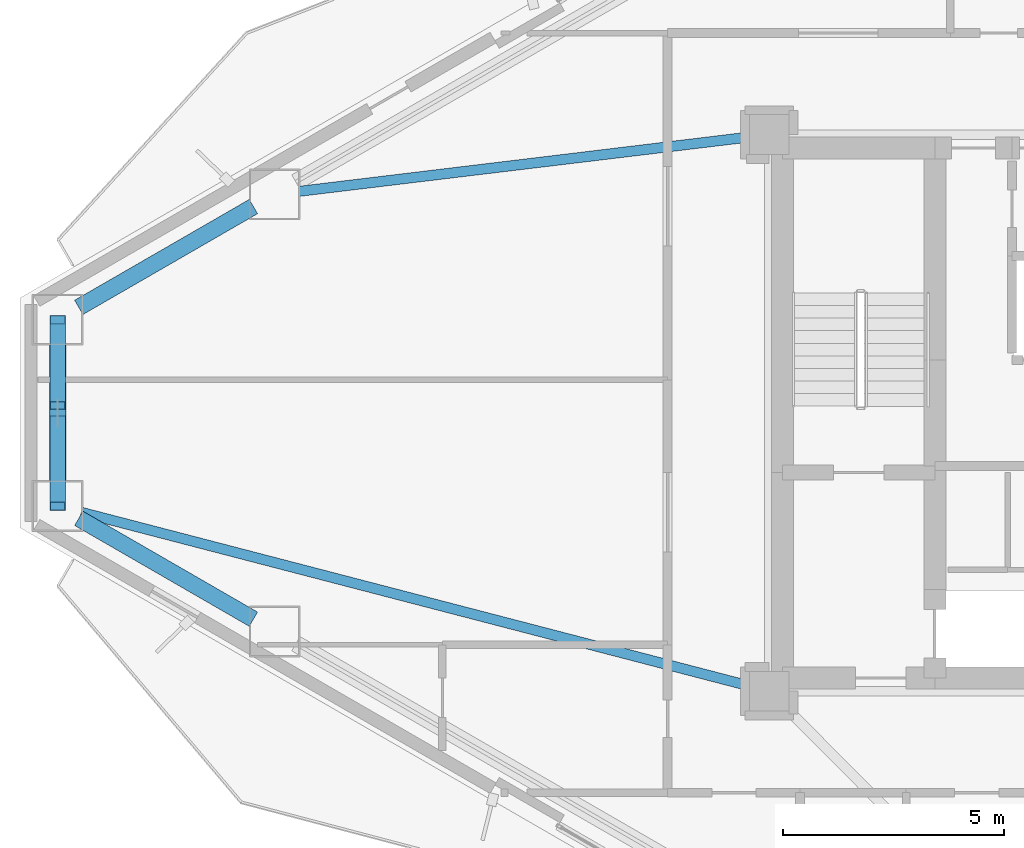
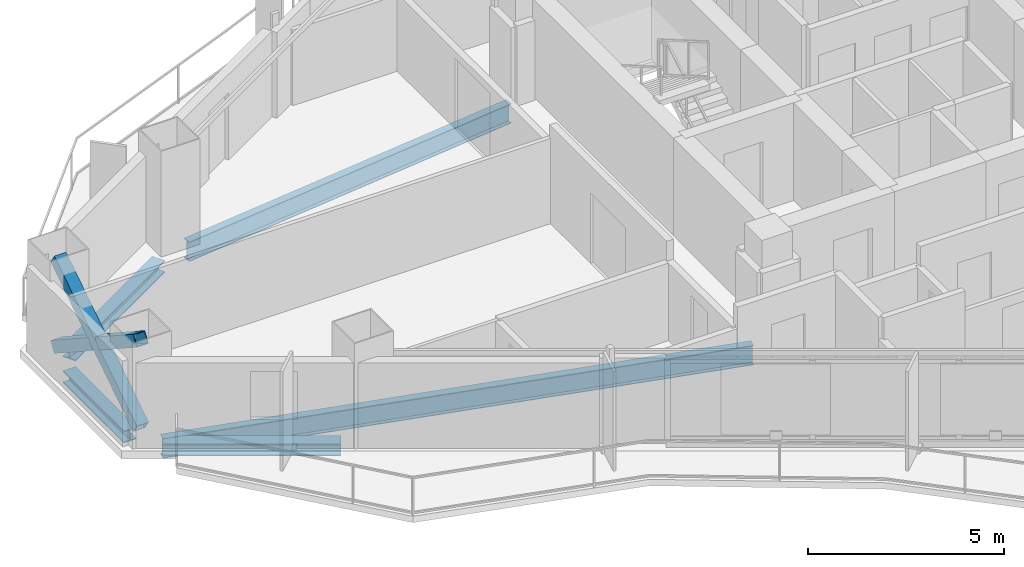
# One storey, part 5 of 22: 5 beams, 3 members.
"""IFC4 building model written with IfcOpenShell, lengths in metres."""

from ifc_helpers import new_model, si_unit, direction, frame, origin, origin_2d, place, context, subcontext, project, spatial, hollow_rectangle, i_section, extrude, material, material_profile, profile_set, type_object, element, save


model = new_model("IFC4")

# Units and contexts
model_context = context("Model", 3, precision=1e-05, world=origin(), true_north=direction((0.0, 1.0)))
body_context = subcontext(model_context, "Body", "Model", "MODEL_VIEW")
ifc_project = project(units=[si_unit("LENGTHUNIT", "METRE"), si_unit("AREAUNIT", "SQUARE_METRE"), si_unit("VOLUMEUNIT", "CUBIC_METRE"), si_unit("PLANEANGLEUNIT", "RADIAN"), si_unit("MASSUNIT", "GRAM", prefix="KILO")], contexts=[model_context])

# Site, building, storey
site_placement = place(None, origin())
site = spatial("IfcSite", under=ifc_project, at=site_placement, CompositionType="ELEMENT")
building_placement = place(site_placement, origin())
building = spatial("IfcBuilding", under=site, at=building_placement, Name="Mersakhor Tower and Convention Hall", CompositionType="ELEMENT")
storey_placement = place(building_placement, frame((0.0, 0.0, 83.39990234375)))
storey = spatial("IfcBuildingStorey", under=building, at=storey_placement, Name="L22", CompositionType="ELEMENT", Elevation=83.39990234375)

# Beams
ifc_material_1 = material(Name="Steel S355", Category="steel")
ifc_material_profile_1 = material_profile(ifc_material_1, i_section(OverallWidth=0.22900390625, OverallDepth=0.6123046875, WebThickness=0.011962890625, FlangeThickness=0.01953125, at=origin_2d()), Name="UB 610x229x125")
ifc_profile_set_1 = profile_set([ifc_material_profile_1], Name="Steel S355")
beam_type_1 = type_object("IfcBeamType", Name="BM-PR-610", PredefinedType="BEAM", material=ifc_profile_set_1)
beam_1_placement = place(storey_placement, frame((21.47314453125, 32.99853515625, -0.555908203125), z_axis=(-0.992798628585, -0.119795171356, 0.0), x_axis=(0.119795171356, -0.992798628585, 0.0)))
element("IfcBeam", 1, at=beam_1_placement, inside=storey, type_object=beam_type_1, Name="L22 Primary Floor Girder FG-1", PredefinedType="BEAM", context=body_context, shape_type="SweptSolid", body=[
    extrude(i_section(OverallWidth=0.22900390625, OverallDepth=0.6123046875, WebThickness=0.011962890625, FlangeThickness=0.01953125, at=origin_2d()), origin(), (0.0, 0.0, 1.0), 10.2939453125),
])
beam_2_placement = place(storey_placement, frame((21.48388671875, 20.55810546875, -0.555908203125), z_axis=(-0.967826150614, 0.251619836632, 0.0), x_axis=(-0.251619836632, -0.967826150614, 0.0)))
element("IfcBeam", 2, at=beam_2_placement, inside=storey, type_object=beam_type_1, Name="L22 Primary Floor Girder FG-6", PredefinedType="BEAM", context=body_context, shape_type="SweptSolid", body=[
    extrude(i_section(OverallWidth=0.22900390625, OverallDepth=0.6123046875, WebThickness=0.011962890625, FlangeThickness=0.01953125, at=origin_2d()), origin(), (0.0, 0.0, 1.0), 15.6640625),
])
ifc_material_2 = material(Name="Steel S355", Category="steel")
ifc_material_profile_2 = material_profile(ifc_material_2, i_section(OverallWidth=0.374755859375, OverallDepth=0.37451171875, WebThickness=0.0166015625, FlangeThickness=0.027099609375, at=origin_2d()), Name="UC 356x368x202")
ifc_profile_set_2 = profile_set([ifc_material_profile_2], Name="Steel S355")
beam_type_2 = type_object("IfcBeamType", Name="BM-SPD-UC356", PredefinedType="SPANDREL", material=ifc_profile_set_2)
for number, where, z_axis, x_axis, name in (
    (3, (6.267333984375, 29.13818359375, -0.437255859375), (0.866023543838, 0.500003221507, 0.0), (-0.500003221507, 0.866023543838, 0.0), "L22 Perimeter Spandrel Beam SPB-01"),
    (4, (10.221923828125, 22.07861328125, -0.437255859375), (-0.866023543838, 0.500003221507, 0.0), (-0.500003221507, -0.866023543838, 0.0), "L22 Perimeter Spandrel Beam SPB-11"),
):
    element("IfcBeam", number, at=place(storey_placement, frame(where, z_axis=z_axis, x_axis=x_axis)), inside=storey, type_object=beam_type_2, Name=name, PredefinedType="SPANDREL", context=body_context, shape_type="SweptSolid", body=[
        extrude(i_section(OverallWidth=0.374755859375, OverallDepth=0.37451171875, WebThickness=0.0166015625, FlangeThickness=0.027099609375, at=origin_2d()), origin(), (0.0, 0.0, 1.0), 4.56640625),
    ])
beam_3_placement = place(storey_placement, frame((5.78662109375, 25.194091796875, -0.437255859375), z_axis=(0.0, 1.0, 0.0), x_axis=(-1.0, 0.0, 0.0)))
element("IfcBeam", 5, at=beam_3_placement, inside=storey, type_object=beam_type_2, Name="L22 Perimeter Spandrel Beam SPB-12", PredefinedType="SPANDREL", context=body_context, shape_type="SweptSolid", body=[
    extrude(i_section(OverallWidth=0.374755859375, OverallDepth=0.37451171875, WebThickness=0.0166015625, FlangeThickness=0.027099609375, at=origin_2d()), origin(), (0.0, 0.0, 1.0), 3.11181640625),
])

# Members
ifc_material_3 = material(Name="Steel S460", Category="steel")
ifc_material_profile_3 = material_profile(ifc_material_3, hollow_rectangle(XDim=0.35009765625, YDim=0.35009765625, WallThickness=0.02001953125, at=origin_2d()), Name="SHS 350x350x20")
ifc_profile_set_3 = profile_set([ifc_material_profile_3], Name="Steel S460")
member_type = type_object("IfcMemberType", Name="MB-BRC-SHS350", PredefinedType="BRACE", material=ifc_profile_set_3)
member_1_placement = place(storey_placement, frame((5.78662109375, 24.63916015625, 0.150146484375), z_axis=(0.0, 0.837907380789, 0.54581244143), x_axis=(-1.0, 0.0, 0.0)))
element("IfcMember", 6, at=member_1_placement, inside=storey, type_object=member_type, Name="L22 Chamfer Braced Frame Diagonal CB-3A", PredefinedType="BRACE", context=body_context, shape_type="SweptSolid", body=[
    extrude(hollow_rectangle(XDim=0.35009765625, YDim=0.35009765625, WallThickness=0.02001953125, at=origin_2d()), origin(), (0.0, 0.0, 1.0), 5.038330078125),
])
member_2_placement = place(storey_placement, frame((5.78662109375, 28.86083984375, 0.150146484375), z_axis=(0.0, -0.837928690032, 0.545779727016), x_axis=(1.0, 0.0, 0.0)))
element("IfcMember", 7, at=member_2_placement, inside=storey, type_object=member_type, Name="L22 Chamfer Braced Frame Diagonal CB-3B Lower Half", PredefinedType="BRACE", context=body_context, shape_type="SweptSolid", body=[
    extrude(hollow_rectangle(XDim=0.35009765625, YDim=0.35009765625, WallThickness=0.02001953125, at=origin_2d()), origin(), (0.0, 0.0, 1.0), 2.31982421875),
])
member_3_placement = place(storey_placement, frame((5.78662109375, 26.5830078125, 1.6337890625), z_axis=(0.0, -0.83788056026, 0.54585361292), x_axis=(1.0, 0.0, 0.0)))
element("IfcMember", 8, at=member_3_placement, inside=storey, type_object=member_type, Name="L22 Chamfer Braced Frame Diagonal CB-3B Upper Half", PredefinedType="BRACE", context=body_context, shape_type="SweptSolid", body=[
    extrude(hollow_rectangle(XDim=0.35009765625, YDim=0.35009765625, WallThickness=0.02001953125, at=origin_2d()), origin(), (0.0, 0.0, 1.0), 2.320068359375),
])

save(model, "model.ifc")
